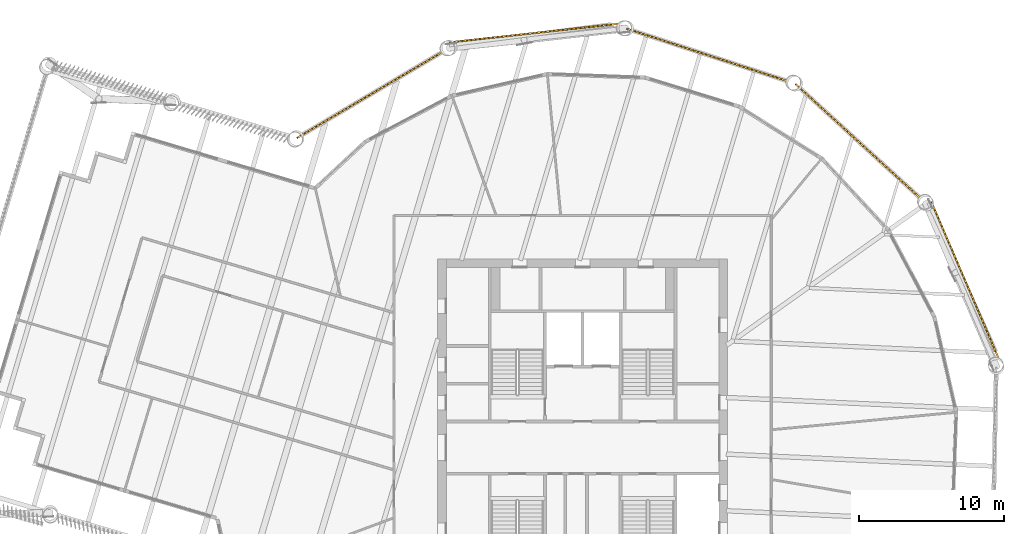
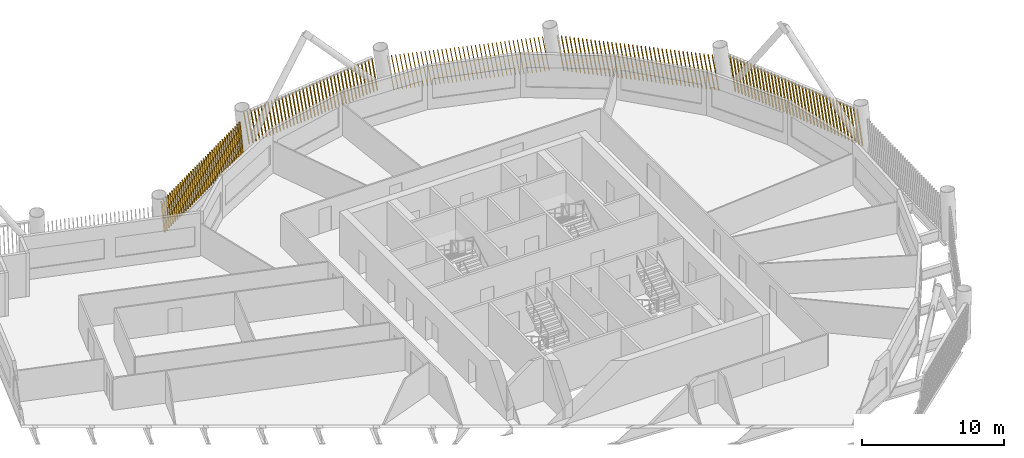
# One storey, part 23 of 24: 5 shading devices.
"""IFC4 building model written with IfcOpenShell, lengths in metres."""

from ifc_helpers import new_model, si_unit, direction, frame, frame_2d, origin, place, context, subcontext, project, spatial, rectangle, composite_profile, extrude, material, type_object, element, save


model = new_model("IFC4")

# Units and contexts
model_context = context("Model", 3, precision=1e-05, world=origin(), true_north=direction((0.0, 1.0)))
body_context = subcontext(model_context, "Body", "Model", "MODEL_VIEW")
ifc_project = project(units=[si_unit("LENGTHUNIT", "METRE"), si_unit("AREAUNIT", "SQUARE_METRE"), si_unit("VOLUMEUNIT", "CUBIC_METRE"), si_unit("PLANEANGLEUNIT", "RADIAN"), si_unit("MASSUNIT", "GRAM", prefix="KILO")], contexts=[model_context])

# Site, building, storey
site_placement = place(None, origin())
site = spatial("IfcSite", under=ifc_project, at=site_placement, CompositionType="ELEMENT")
building_placement = place(site_placement, origin())
building = spatial("IfcBuilding", under=site, at=building_placement, Name="Tarsis Ring Headquarters", CompositionType="ELEMENT")
storey_placement = place(building_placement, frame((0.0, 0.0, 216.0)))
storey = spatial("IfcBuildingStorey", under=building, at=storey_placement, Name="L50", CompositionType="ELEMENT", Elevation=216.0)

# Shading devices
ifc_material = material(Name="Terracotta baguette", Category="masonry")
shading_device_type = type_object("IfcShadingDeviceType", Name="Terracotta baguette screen", PredefinedType="USERDEFINED", material=ifc_material)
shading_device_1_placement = place(storey_placement, frame((28.65673828125, 6.1787109375, 0.0), z_axis=(0.0, 0.0, 1.0), x_axis=(-0.394422137819, 0.918936516549, 0.0)))
element("IfcShadingDevice", 1, at=shading_device_1_placement, inside=storey, type_object=shading_device_type, Name="Baguette screen L50-10", ObjectType="Terracotta baguette screen", PredefinedType="USERDEFINED", context=body_context, shape_type="SweptSolid", body=[
    extrude(composite_profile([rectangle(XDim=0.06005859375, YDim=0.1201171875, at=frame_2d((0.030029296875, 0.0))), rectangle(XDim=0.06005859375, YDim=0.1201171875, at=frame_2d((0.33251953125, 0.0))), rectangle(XDim=0.06005859375, YDim=0.1201171875, at=frame_2d((0.634765625, 0.0))), rectangle(XDim=0.06005859375, YDim=0.1201171875, at=frame_2d((0.937255859375, 0.0))), rectangle(XDim=0.06005859375, YDim=0.1201171875, at=frame_2d((1.239501953125, 0.0))), rectangle(XDim=0.06005859375, YDim=0.1201171875, at=frame_2d((1.5419921875, 0.0))), rectangle(XDim=0.06005859375, YDim=0.1201171875, at=frame_2d((1.844482421875, 0.0))), rectangle(XDim=0.06005859375, YDim=0.1201171875, at=frame_2d((2.146728515625, 0.0))), rectangle(XDim=0.06005859375, YDim=0.1201171875, at=frame_2d((2.44921875, 0.0))), rectangle(XDim=0.06005859375, YDim=0.1201171875, at=frame_2d((2.751708984375, 0.0))), rectangle(XDim=0.06005859375, YDim=0.1201171875, at=frame_2d((3.053955078125, 0.0))), rectangle(XDim=0.06005859375, YDim=0.1201171875, at=frame_2d((3.3564453125, 0.0))), rectangle(XDim=0.06005859375, YDim=0.1201171875, at=frame_2d((3.65869140625, 0.0))), rectangle(XDim=0.06005859375, YDim=0.1201171875, at=frame_2d((3.961181640625, 0.0))), rectangle(XDim=0.06005859375, YDim=0.1201171875, at=frame_2d((4.263671875, 0.0))), rectangle(XDim=0.06005859375, YDim=0.1201171875, at=frame_2d((4.56591796875, 0.0))), rectangle(XDim=0.06005859375, YDim=0.1201171875, at=frame_2d((4.868408203125, 0.0))), rectangle(XDim=0.06005859375, YDim=0.1201171875, at=frame_2d((5.1708984375, 0.0))), rectangle(XDim=0.06005859375, YDim=0.1201171875, at=frame_2d((5.47314453125, 0.0))), rectangle(XDim=0.06005859375, YDim=0.1201171875, at=frame_2d((5.775634765625, 0.0))), rectangle(XDim=0.06005859375, YDim=0.1201171875, at=frame_2d((6.077880859375, 0.0))), rectangle(XDim=0.06005859375, YDim=0.1201171875, at=frame_2d((6.38037109375, 0.0))), rectangle(XDim=0.06005859375, YDim=0.1201171875, at=frame_2d((6.682861328125, 0.0))), rectangle(XDim=0.06005859375, YDim=0.1201171875, at=frame_2d((6.985107421875, 0.0))), rectangle(XDim=0.06005859375, YDim=0.1201171875, at=frame_2d((7.28759765625, 0.0))), rectangle(XDim=0.06005859375, YDim=0.1201171875, at=frame_2d((7.590087890625, 0.0))), rectangle(XDim=0.06005859375, YDim=0.1201171875, at=frame_2d((7.892333984375, 0.0))), rectangle(XDim=0.06005859375, YDim=0.1201171875, at=frame_2d((8.19482421875, 0.0))), rectangle(XDim=0.06005859375, YDim=0.1201171875, at=frame_2d((8.4970703125, 0.0))), rectangle(XDim=0.06005859375, YDim=0.1201171875, at=frame_2d((8.799560546875, 0.0))), rectangle(XDim=0.06005859375, YDim=0.1201171875, at=frame_2d((9.10205078125, 0.0))), rectangle(XDim=0.06005859375, YDim=0.1201171875, at=frame_2d((9.404296875, 0.0))), rectangle(XDim=0.06005859375, YDim=0.1201171875, at=frame_2d((9.706787109375, 0.0))), rectangle(XDim=0.06005859375, YDim=0.1201171875, at=frame_2d((10.00927734375, 0.0))), rectangle(XDim=0.06005859375, YDim=0.1201171875, at=frame_2d((10.3115234375, 0.0))), rectangle(XDim=0.06005859375, YDim=0.1201171875, at=frame_2d((10.614013671875, 0.0))), rectangle(XDim=0.06005859375, YDim=0.1201171875, at=frame_2d((10.916259765625, 0.0))), rectangle(XDim=0.06005859375, YDim=0.1201171875, at=frame_2d((11.21875, 0.0)))]), origin(), (0.161265681529, 0.001348128943, 0.986910108627), 2.989013671875),
])
shading_device_2_placement = place(storey_placement, frame((23.30908203125, 17.16455078125, 0.0), z_axis=(0.0, 0.0, 1.0), x_axis=(-0.738100922409, 0.674682582746, 0.0)))
element("IfcShadingDevice", 2, at=shading_device_2_placement, inside=storey, type_object=shading_device_type, Name="Baguette screen L50-11", ObjectType="Terracotta baguette screen", PredefinedType="USERDEFINED", context=body_context, shape_type="SweptSolid", body=[
    extrude(composite_profile([rectangle(XDim=0.06005859375, YDim=0.1201171875, at=frame_2d((0.030029296875, 0.0))), rectangle(XDim=0.06005859375, YDim=0.1201171875, at=frame_2d((0.33251953125, 0.0))), rectangle(XDim=0.06005859375, YDim=0.1201171875, at=frame_2d((0.634765625, 0.0))), rectangle(XDim=0.06005859375, YDim=0.1201171875, at=frame_2d((0.937255859375, 0.0))), rectangle(XDim=0.06005859375, YDim=0.1201171875, at=frame_2d((1.239501953125, 0.0))), rectangle(XDim=0.06005859375, YDim=0.1201171875, at=frame_2d((1.5419921875, 0.0))), rectangle(XDim=0.06005859375, YDim=0.1201171875, at=frame_2d((1.844482421875, 0.0))), rectangle(XDim=0.06005859375, YDim=0.1201171875, at=frame_2d((2.146728515625, 0.0))), rectangle(XDim=0.06005859375, YDim=0.1201171875, at=frame_2d((2.44921875, 0.0))), rectangle(XDim=0.06005859375, YDim=0.1201171875, at=frame_2d((2.751708984375, 0.0))), rectangle(XDim=0.06005859375, YDim=0.1201171875, at=frame_2d((3.053955078125, 0.0))), rectangle(XDim=0.06005859375, YDim=0.1201171875, at=frame_2d((3.3564453125, 0.0))), rectangle(XDim=0.06005859375, YDim=0.1201171875, at=frame_2d((3.65869140625, 0.0))), rectangle(XDim=0.06005859375, YDim=0.1201171875, at=frame_2d((3.961181640625, 0.0))), rectangle(XDim=0.06005859375, YDim=0.1201171875, at=frame_2d((4.263671875, 0.0))), rectangle(XDim=0.06005859375, YDim=0.1201171875, at=frame_2d((4.56591796875, 0.0))), rectangle(XDim=0.06005859375, YDim=0.1201171875, at=frame_2d((4.868408203125, 0.0))), rectangle(XDim=0.06005859375, YDim=0.1201171875, at=frame_2d((5.1708984375, 0.0))), rectangle(XDim=0.06005859375, YDim=0.1201171875, at=frame_2d((5.47314453125, 0.0))), rectangle(XDim=0.06005859375, YDim=0.1201171875, at=frame_2d((5.775634765625, 0.0))), rectangle(XDim=0.06005859375, YDim=0.1201171875, at=frame_2d((6.077880859375, 0.0))), rectangle(XDim=0.06005859375, YDim=0.1201171875, at=frame_2d((6.38037109375, 0.0))), rectangle(XDim=0.06005859375, YDim=0.1201171875, at=frame_2d((6.682861328125, 0.0))), rectangle(XDim=0.06005859375, YDim=0.1201171875, at=frame_2d((6.985107421875, 0.0))), rectangle(XDim=0.06005859375, YDim=0.1201171875, at=frame_2d((7.28759765625, 0.0))), rectangle(XDim=0.06005859375, YDim=0.1201171875, at=frame_2d((7.590087890625, 0.0))), rectangle(XDim=0.06005859375, YDim=0.1201171875, at=frame_2d((7.892333984375, 0.0))), rectangle(XDim=0.06005859375, YDim=0.1201171875, at=frame_2d((8.19482421875, 0.0))), rectangle(XDim=0.06005859375, YDim=0.1201171875, at=frame_2d((8.4970703125, 0.0))), rectangle(XDim=0.06005859375, YDim=0.1201171875, at=frame_2d((8.799560546875, 0.0))), rectangle(XDim=0.06005859375, YDim=0.1201171875, at=frame_2d((9.10205078125, 0.0))), rectangle(XDim=0.06005859375, YDim=0.1201171875, at=frame_2d((9.404296875, 0.0))), rectangle(XDim=0.06005859375, YDim=0.1201171875, at=frame_2d((9.706787109375, 0.0))), rectangle(XDim=0.06005859375, YDim=0.1201171875, at=frame_2d((10.00927734375, 0.0))), rectangle(XDim=0.06005859375, YDim=0.1201171875, at=frame_2d((10.3115234375, 0.0))), rectangle(XDim=0.06005859375, YDim=0.1201171875, at=frame_2d((10.614013671875, 0.0))), rectangle(XDim=0.06005859375, YDim=0.1201171875, at=frame_2d((10.916259765625, 0.0))), rectangle(XDim=0.06005859375, YDim=0.1201171875, at=frame_2d((11.21875, 0.0)))]), origin(), (0.159215648272, 0.001336613098, 0.98724292391), 2.988037109375),
])
shading_device_3_placement = place(storey_placement, frame((14.161865234375, 25.246337890625, 0.0), z_axis=(0.0, 0.0, 1.0), x_axis=(-0.950581647712, 0.310443614897, 0.0)))
element("IfcShadingDevice", 3, at=shading_device_3_placement, inside=storey, type_object=shading_device_type, Name="Baguette screen L50-12", ObjectType="Terracotta baguette screen", PredefinedType="USERDEFINED", context=body_context, shape_type="SweptSolid", body=[
    extrude(composite_profile([rectangle(XDim=0.06005859375, YDim=0.1201171875, at=frame_2d((0.030029296875, 0.0))), rectangle(XDim=0.06005859375, YDim=0.1201171875, at=frame_2d((0.33251953125, 0.0))), rectangle(XDim=0.06005859375, YDim=0.1201171875, at=frame_2d((0.634765625, 0.0))), rectangle(XDim=0.06005859375, YDim=0.1201171875, at=frame_2d((0.937255859375, 0.0))), rectangle(XDim=0.06005859375, YDim=0.1201171875, at=frame_2d((1.239501953125, 0.0))), rectangle(XDim=0.06005859375, YDim=0.1201171875, at=frame_2d((1.5419921875, 0.0))), rectangle(XDim=0.06005859375, YDim=0.1201171875, at=frame_2d((1.844482421875, 0.0))), rectangle(XDim=0.06005859375, YDim=0.1201171875, at=frame_2d((2.146728515625, 0.0))), rectangle(XDim=0.06005859375, YDim=0.1201171875, at=frame_2d((2.44921875, 0.0))), rectangle(XDim=0.06005859375, YDim=0.1201171875, at=frame_2d((2.751708984375, 0.0))), rectangle(XDim=0.06005859375, YDim=0.1201171875, at=frame_2d((3.053955078125, 0.0))), rectangle(XDim=0.06005859375, YDim=0.1201171875, at=frame_2d((3.3564453125, 0.0))), rectangle(XDim=0.06005859375, YDim=0.1201171875, at=frame_2d((3.65869140625, 0.0))), rectangle(XDim=0.06005859375, YDim=0.1201171875, at=frame_2d((3.961181640625, 0.0))), rectangle(XDim=0.06005859375, YDim=0.1201171875, at=frame_2d((4.263671875, 0.0))), rectangle(XDim=0.06005859375, YDim=0.1201171875, at=frame_2d((4.56591796875, 0.0))), rectangle(XDim=0.06005859375, YDim=0.1201171875, at=frame_2d((4.868408203125, 0.0))), rectangle(XDim=0.06005859375, YDim=0.1201171875, at=frame_2d((5.1708984375, 0.0))), rectangle(XDim=0.06005859375, YDim=0.1201171875, at=frame_2d((5.47314453125, 0.0))), rectangle(XDim=0.06005859375, YDim=0.1201171875, at=frame_2d((5.775634765625, 0.0))), rectangle(XDim=0.06005859375, YDim=0.1201171875, at=frame_2d((6.077880859375, 0.0))), rectangle(XDim=0.06005859375, YDim=0.1201171875, at=frame_2d((6.38037109375, 0.0))), rectangle(XDim=0.06005859375, YDim=0.1201171875, at=frame_2d((6.682861328125, 0.0))), rectangle(XDim=0.06005859375, YDim=0.1201171875, at=frame_2d((6.985107421875, 0.0))), rectangle(XDim=0.06005859375, YDim=0.1201171875, at=frame_2d((7.28759765625, 0.0))), rectangle(XDim=0.06005859375, YDim=0.1201171875, at=frame_2d((7.590087890625, 0.0))), rectangle(XDim=0.06005859375, YDim=0.1201171875, at=frame_2d((7.892333984375, 0.0))), rectangle(XDim=0.06005859375, YDim=0.1201171875, at=frame_2d((8.19482421875, 0.0))), rectangle(XDim=0.06005859375, YDim=0.1201171875, at=frame_2d((8.4970703125, 0.0))), rectangle(XDim=0.06005859375, YDim=0.1201171875, at=frame_2d((8.799560546875, 0.0))), rectangle(XDim=0.06005859375, YDim=0.1201171875, at=frame_2d((9.10205078125, 0.0))), rectangle(XDim=0.06005859375, YDim=0.1201171875, at=frame_2d((9.404296875, 0.0))), rectangle(XDim=0.06005859375, YDim=0.1201171875, at=frame_2d((9.706787109375, 0.0))), rectangle(XDim=0.06005859375, YDim=0.1201171875, at=frame_2d((10.00927734375, 0.0))), rectangle(XDim=0.06005859375, YDim=0.1201171875, at=frame_2d((10.3115234375, 0.0))), rectangle(XDim=0.06005859375, YDim=0.1201171875, at=frame_2d((10.614013671875, 0.0))), rectangle(XDim=0.06005859375, YDim=0.1201171875, at=frame_2d((10.916259765625, 0.0))), rectangle(XDim=0.06005859375, YDim=0.1201171875, at=frame_2d((11.21875, 0.0)))]), origin(), (0.159214748406, 0.001333508796, 0.987243073232), 2.988037109375),
])
shading_device_4_placement = place(storey_placement, frame((2.45556640625, 29.212158203125, 0.0), z_axis=(0.0, 0.0, 1.0), x_axis=(-0.994053045101, -0.108976863307, 0.0)))
element("IfcShadingDevice", 4, at=shading_device_4_placement, inside=storey, type_object=shading_device_type, Name="Baguette screen L50-13", ObjectType="Terracotta baguette screen", PredefinedType="USERDEFINED", context=body_context, shape_type="SweptSolid", body=[
    extrude(composite_profile([rectangle(XDim=0.06005859375, YDim=0.1201171875, at=frame_2d((0.030029296875, 0.0))), rectangle(XDim=0.06005859375, YDim=0.1201171875, at=frame_2d((0.33251953125, 0.0))), rectangle(XDim=0.06005859375, YDim=0.1201171875, at=frame_2d((0.634765625, 0.0))), rectangle(XDim=0.06005859375, YDim=0.1201171875, at=frame_2d((0.937255859375, 0.0))), rectangle(XDim=0.06005859375, YDim=0.1201171875, at=frame_2d((1.239501953125, 0.0))), rectangle(XDim=0.06005859375, YDim=0.1201171875, at=frame_2d((1.5419921875, 0.0))), rectangle(XDim=0.06005859375, YDim=0.1201171875, at=frame_2d((1.844482421875, 0.0))), rectangle(XDim=0.06005859375, YDim=0.1201171875, at=frame_2d((2.146728515625, 0.0))), rectangle(XDim=0.06005859375, YDim=0.1201171875, at=frame_2d((2.44921875, 0.0))), rectangle(XDim=0.06005859375, YDim=0.1201171875, at=frame_2d((2.751708984375, 0.0))), rectangle(XDim=0.06005859375, YDim=0.1201171875, at=frame_2d((3.053955078125, 0.0))), rectangle(XDim=0.06005859375, YDim=0.1201171875, at=frame_2d((3.3564453125, 0.0))), rectangle(XDim=0.06005859375, YDim=0.1201171875, at=frame_2d((3.65869140625, 0.0))), rectangle(XDim=0.06005859375, YDim=0.1201171875, at=frame_2d((3.961181640625, 0.0))), rectangle(XDim=0.06005859375, YDim=0.1201171875, at=frame_2d((4.263671875, 0.0))), rectangle(XDim=0.06005859375, YDim=0.1201171875, at=frame_2d((4.56591796875, 0.0))), rectangle(XDim=0.06005859375, YDim=0.1201171875, at=frame_2d((4.868408203125, 0.0))), rectangle(XDim=0.06005859375, YDim=0.1201171875, at=frame_2d((5.1708984375, 0.0))), rectangle(XDim=0.06005859375, YDim=0.1201171875, at=frame_2d((5.47314453125, 0.0))), rectangle(XDim=0.06005859375, YDim=0.1201171875, at=frame_2d((5.775634765625, 0.0))), rectangle(XDim=0.06005859375, YDim=0.1201171875, at=frame_2d((6.077880859375, 0.0))), rectangle(XDim=0.06005859375, YDim=0.1201171875, at=frame_2d((6.38037109375, 0.0))), rectangle(XDim=0.06005859375, YDim=0.1201171875, at=frame_2d((6.682861328125, 0.0))), rectangle(XDim=0.06005859375, YDim=0.1201171875, at=frame_2d((6.985107421875, 0.0))), rectangle(XDim=0.06005859375, YDim=0.1201171875, at=frame_2d((7.28759765625, 0.0))), rectangle(XDim=0.06005859375, YDim=0.1201171875, at=frame_2d((7.590087890625, 0.0))), rectangle(XDim=0.06005859375, YDim=0.1201171875, at=frame_2d((7.892333984375, 0.0))), rectangle(XDim=0.06005859375, YDim=0.1201171875, at=frame_2d((8.19482421875, 0.0))), rectangle(XDim=0.06005859375, YDim=0.1201171875, at=frame_2d((8.4970703125, 0.0))), rectangle(XDim=0.06005859375, YDim=0.1201171875, at=frame_2d((8.799560546875, 0.0))), rectangle(XDim=0.06005859375, YDim=0.1201171875, at=frame_2d((9.10205078125, 0.0))), rectangle(XDim=0.06005859375, YDim=0.1201171875, at=frame_2d((9.404296875, 0.0))), rectangle(XDim=0.06005859375, YDim=0.1201171875, at=frame_2d((9.706787109375, 0.0))), rectangle(XDim=0.06005859375, YDim=0.1201171875, at=frame_2d((10.00927734375, 0.0))), rectangle(XDim=0.06005859375, YDim=0.1201171875, at=frame_2d((10.3115234375, 0.0))), rectangle(XDim=0.06005859375, YDim=0.1201171875, at=frame_2d((10.614013671875, 0.0))), rectangle(XDim=0.06005859375, YDim=0.1201171875, at=frame_2d((10.916259765625, 0.0))), rectangle(XDim=0.06005859375, YDim=0.1201171875, at=frame_2d((11.21875, 0.0)))]), origin(), (0.161266126907, 0.001350956141, 0.986910031984), 2.989013671875),
])
shading_device_5_placement = place(storey_placement, frame((-9.61279296875, 27.304443359375, 0.0), z_axis=(0.0, 0.0, 1.0), x_axis=(-0.860748779164, -0.509017905589, 0.0)))
element("IfcShadingDevice", 5, at=shading_device_5_placement, inside=storey, type_object=shading_device_type, Name="Baguette screen L50-14", ObjectType="Terracotta baguette screen", PredefinedType="USERDEFINED", context=body_context, shape_type="SweptSolid", body=[
    extrude(composite_profile([rectangle(XDim=0.06005859375, YDim=0.1201171875, at=frame_2d((0.030029296875, 0.0))), rectangle(XDim=0.06005859375, YDim=0.1201171875, at=frame_2d((0.33251953125, 0.0))), rectangle(XDim=0.06005859375, YDim=0.1201171875, at=frame_2d((0.634765625, 0.0))), rectangle(XDim=0.06005859375, YDim=0.1201171875, at=frame_2d((0.937255859375, 0.0))), rectangle(XDim=0.06005859375, YDim=0.1201171875, at=frame_2d((1.239501953125, 0.0))), rectangle(XDim=0.06005859375, YDim=0.1201171875, at=frame_2d((1.5419921875, 0.0))), rectangle(XDim=0.06005859375, YDim=0.1201171875, at=frame_2d((1.844482421875, 0.0))), rectangle(XDim=0.06005859375, YDim=0.1201171875, at=frame_2d((2.146728515625, 0.0))), rectangle(XDim=0.06005859375, YDim=0.1201171875, at=frame_2d((2.44921875, 0.0))), rectangle(XDim=0.06005859375, YDim=0.1201171875, at=frame_2d((2.751708984375, 0.0))), rectangle(XDim=0.06005859375, YDim=0.1201171875, at=frame_2d((3.053955078125, 0.0))), rectangle(XDim=0.06005859375, YDim=0.1201171875, at=frame_2d((3.3564453125, 0.0))), rectangle(XDim=0.06005859375, YDim=0.1201171875, at=frame_2d((3.65869140625, 0.0))), rectangle(XDim=0.06005859375, YDim=0.1201171875, at=frame_2d((3.961181640625, 0.0))), rectangle(XDim=0.06005859375, YDim=0.1201171875, at=frame_2d((4.263671875, 0.0))), rectangle(XDim=0.06005859375, YDim=0.1201171875, at=frame_2d((4.56591796875, 0.0))), rectangle(XDim=0.06005859375, YDim=0.1201171875, at=frame_2d((4.868408203125, 0.0))), rectangle(XDim=0.06005859375, YDim=0.1201171875, at=frame_2d((5.1708984375, 0.0))), rectangle(XDim=0.06005859375, YDim=0.1201171875, at=frame_2d((5.47314453125, 0.0))), rectangle(XDim=0.06005859375, YDim=0.1201171875, at=frame_2d((5.775634765625, 0.0))), rectangle(XDim=0.06005859375, YDim=0.1201171875, at=frame_2d((6.077880859375, 0.0))), rectangle(XDim=0.06005859375, YDim=0.1201171875, at=frame_2d((6.38037109375, 0.0))), rectangle(XDim=0.06005859375, YDim=0.1201171875, at=frame_2d((6.682861328125, 0.0))), rectangle(XDim=0.06005859375, YDim=0.1201171875, at=frame_2d((6.985107421875, 0.0))), rectangle(XDim=0.06005859375, YDim=0.1201171875, at=frame_2d((7.28759765625, 0.0))), rectangle(XDim=0.06005859375, YDim=0.1201171875, at=frame_2d((7.590087890625, 0.0))), rectangle(XDim=0.06005859375, YDim=0.1201171875, at=frame_2d((7.892333984375, 0.0))), rectangle(XDim=0.06005859375, YDim=0.1201171875, at=frame_2d((8.19482421875, 0.0))), rectangle(XDim=0.06005859375, YDim=0.1201171875, at=frame_2d((8.4970703125, 0.0))), rectangle(XDim=0.06005859375, YDim=0.1201171875, at=frame_2d((8.799560546875, 0.0))), rectangle(XDim=0.06005859375, YDim=0.1201171875, at=frame_2d((9.10205078125, 0.0))), rectangle(XDim=0.06005859375, YDim=0.1201171875, at=frame_2d((9.404296875, 0.0))), rectangle(XDim=0.06005859375, YDim=0.1201171875, at=frame_2d((9.706787109375, 0.0))), rectangle(XDim=0.06005859375, YDim=0.1201171875, at=frame_2d((10.00927734375, 0.0))), rectangle(XDim=0.06005859375, YDim=0.1201171875, at=frame_2d((10.3115234375, 0.0))), rectangle(XDim=0.06005859375, YDim=0.1201171875, at=frame_2d((10.614013671875, 0.0))), rectangle(XDim=0.06005859375, YDim=0.1201171875, at=frame_2d((10.916259765625, 0.0))), rectangle(XDim=0.06005859375, YDim=0.1201171875, at=frame_2d((11.21875, 0.0)))]), origin(), (0.159215319969, 0.001334177763, 0.987242980151), 2.988037109375),
])

save(model, "model.ifc")
